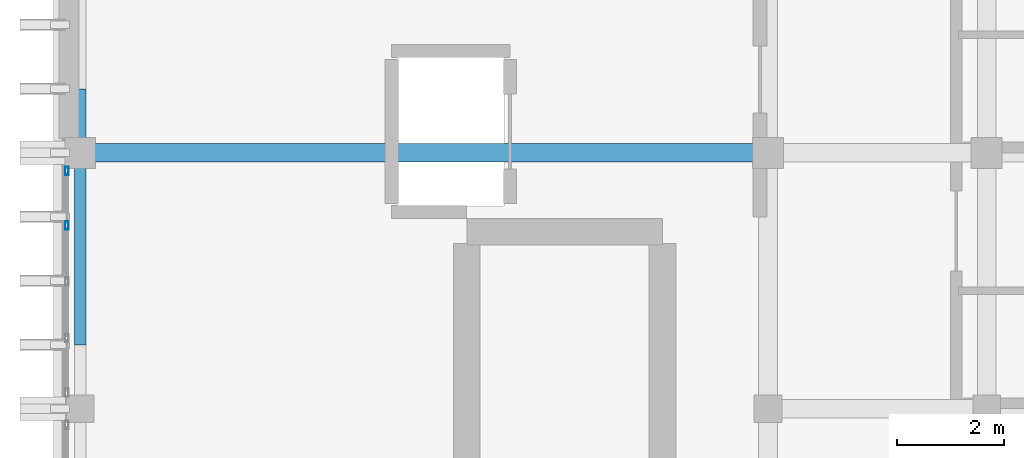
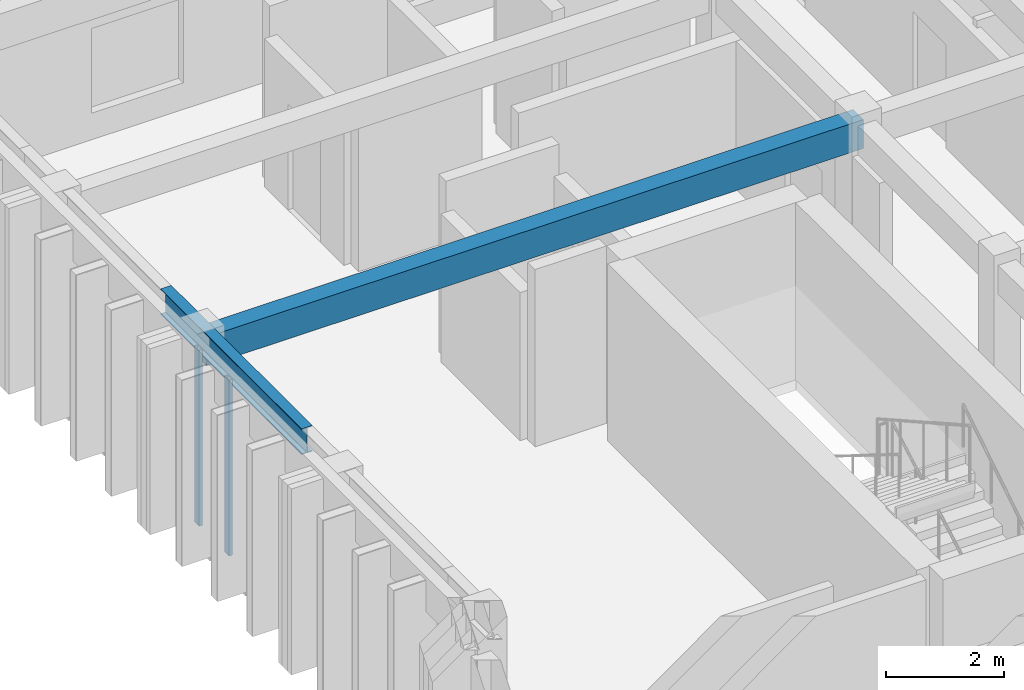
# One storey, part 27 of 49: 2 beams, 2 members, 1 element without a shape of its own.
"""IFC4 building model written with IfcOpenShell, lengths in metres."""

from ifc_helpers import new_model, si_unit, direction, frame, origin, origin_2d, place, context, subcontext, project, spatial, rectangle, hollow_rectangle, i_section, extrude, material, layer, layer_set, material_profile, profile_set, type_object, element, aggregate, save


model = new_model("IFC4")

# Units and contexts
model_context = context("Model", 3, precision=1e-05, world=origin(), true_north=direction((0.0, 1.0)))
body_context = subcontext(model_context, "Body", "Model", "MODEL_VIEW")
ifc_project = project(units=[si_unit("LENGTHUNIT", "METRE"), si_unit("AREAUNIT", "SQUARE_METRE"), si_unit("VOLUMEUNIT", "CUBIC_METRE"), si_unit("PLANEANGLEUNIT", "RADIAN"), si_unit("MASSUNIT", "GRAM", prefix="KILO")], contexts=[model_context])

# Site, building, storey
site_placement = place(None, origin())
site = spatial("IfcSite", under=ifc_project, at=site_placement, CompositionType="ELEMENT")
building_placement = place(site_placement, origin())
building = spatial("IfcBuilding", under=site, at=building_placement, Name="Nakhvara Creek Congress Hotel", CompositionType="ELEMENT")
storey_placement = place(building_placement, frame((0.0, 0.0, 46.5)))
storey = spatial("IfcBuildingStorey", under=building, at=storey_placement, Name="L11", CompositionType="ELEMENT", Elevation=46.5)

# Beams
ifc_material_1 = material(Name="Concrete C40/50", Category="concrete")
ifc_material_profile_1 = material_profile(ifc_material_1, rectangle(XDim=0.35009765625, YDim=0.60009765625, at=origin_2d()), Name="RC-BM 350x600", Category="LoadBearing")
ifc_profile_set_1 = profile_set([ifc_material_profile_1], Name="Concrete C40/50")
beam_type_1 = type_object("IfcBeamType", Name="BM-RC-350X600", PredefinedType="BEAM", material=ifc_profile_set_1)
beam_1_placement = place(storey_placement, frame((149.449951171875, 115.199951171875, 3.3798828125), z_axis=(1.0, 0.0, 0.0), x_axis=(0.0, 1.0, 0.0)))
element("IfcBeam", 1, at=beam_1_placement, inside=storey, type_object=beam_type_1, Name="Beam B07-L11-2724", PredefinedType="BEAM", context=body_context, shape_type="SweptSolid", body=[
    extrude(rectangle(XDim=0.35009765625, YDim=0.60009765625, at=origin_2d()), origin(), (0.0, 0.0, 1.0), 12.900146484375),
])
ifc_material_2 = material(Name="Steel S355J2", Category="steel")
ifc_material_profile_2 = material_profile(ifc_material_2, i_section(OverallWidth=0.209228515625, OverallDepth=0.533203125, WebThickness=0.010009765625, FlangeThickness=0.015625, FilletRadius=0.0126953125, at=origin_2d()), Name="UB 533x210x92", Category="LoadBearing")
ifc_profile_set_2 = profile_set([ifc_material_profile_2], Name="Steel S355J2")
beam_type_2 = type_object("IfcBeamType", Name="BM-ST-UB533", PredefinedType="BEAM", material=ifc_profile_set_2)
beam_2_placement = place(storey_placement, frame((149.449951171875, 111.60009765625, 3.6201171875), z_axis=(0.0, 1.0, 0.0), x_axis=(-1.0, 0.0, 0.0)))
element("IfcBeam", 2, at=beam_2_placement, inside=storey, type_object=beam_type_2, Name="Hotel Gable Eave Beam W-09", PredefinedType="BEAM", context=body_context, shape_type="SweptSolid", body=[
    extrude(i_section(OverallWidth=0.209228515625, OverallDepth=0.533203125, WebThickness=0.010009765625, FlangeThickness=0.015625, FilletRadius=0.0126953125, at=origin_2d()), origin(), (0.0, 0.0, 1.0), 4.7998046875),
])

# Curtain wall, members
ifc_material_3 = material(Name="Bronze-anodised aluminium AW-6063-T6 and double-silver low-E glass", Category="aluminium")
ifc_layer = layer(ifc_material_3, 0.199951171875)
ifc_layer_set = layer_set([ifc_layer], Name="Bronze-anodised aluminium AW-6063-T6 and double-silver low-E glass")
curtain_wall_type = type_object("IfcCurtainWallType", Name="CW-HTL-UNIT", PredefinedType="USERDEFINED", material=ifc_layer_set)
curtain_wall_placement = place(storey_placement, origin())
curtain_wall = element("IfcCurtainWall", 3, at=curtain_wall_placement, inside=storey, type_object=curtain_wall_type, Name="Curtain Wall CW345", ObjectType="UNITISED", PredefinedType="USERDEFINED")
ifc_material_4 = material(Name="Bronze-anodised aluminium AW-6063-T6", Category="aluminium")
ifc_material_profile_3 = material_profile(ifc_material_4, hollow_rectangle(XDim=0.06494140625, YDim=0.159912109375, WallThickness=0.00390625, at=origin_2d()), Name="ALU-MULL 65x160x4", Category="LoadBearing")
ifc_profile_set_3 = profile_set([ifc_material_profile_3], Name="Bronze-anodised aluminium AW-6063-T6")
member_type = type_object("IfcMemberType", Name="CW-MULL-160", PredefinedType="MULLION", material=ifc_profile_set_3)
member_1_placement = place(storey_placement, frame((149.199951171875, 113.840087890625, 0.0), z_axis=(0.0, 0.0, 1.0), x_axis=(-1.0, 0.0, 0.0)))
member_1 = element("IfcMember", 4, at=member_1_placement, type_object=member_type, Name="CW345 mullion 4", PredefinedType="MULLION", context=body_context, shape_type="SweptSolid", body=[
    extrude(hollow_rectangle(XDim=0.06494140625, YDim=0.159912109375, WallThickness=0.00390625, at=origin_2d()), origin(), (0.0, 0.0, 1.0), 3.64990234375),
])
member_2_placement = place(storey_placement, frame((149.199951171875, 114.862548828125, 0.0), z_axis=(0.0, 0.0, 1.0), x_axis=(-1.0, 0.0, 0.0)))
member_2 = element("IfcMember", 5, at=member_2_placement, type_object=member_type, Name="CW345 mullion 5", PredefinedType="MULLION", context=body_context, shape_type="SweptSolid", body=[
    extrude(hollow_rectangle(XDim=0.06494140625, YDim=0.159912109375, WallThickness=0.00390625, at=origin_2d()), origin(), (0.0, 0.0, 1.0), 3.64990234375),
])
aggregate(curtain_wall, [member_1, member_2])

save(model, "model.ifc")
